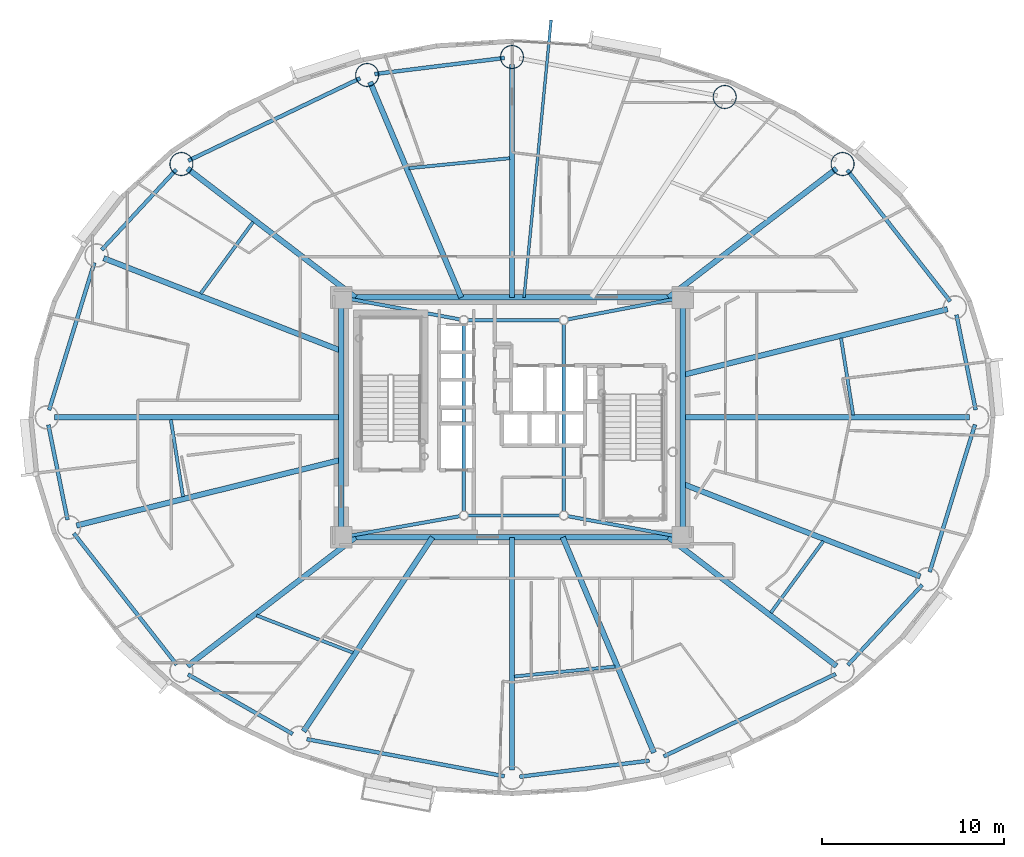
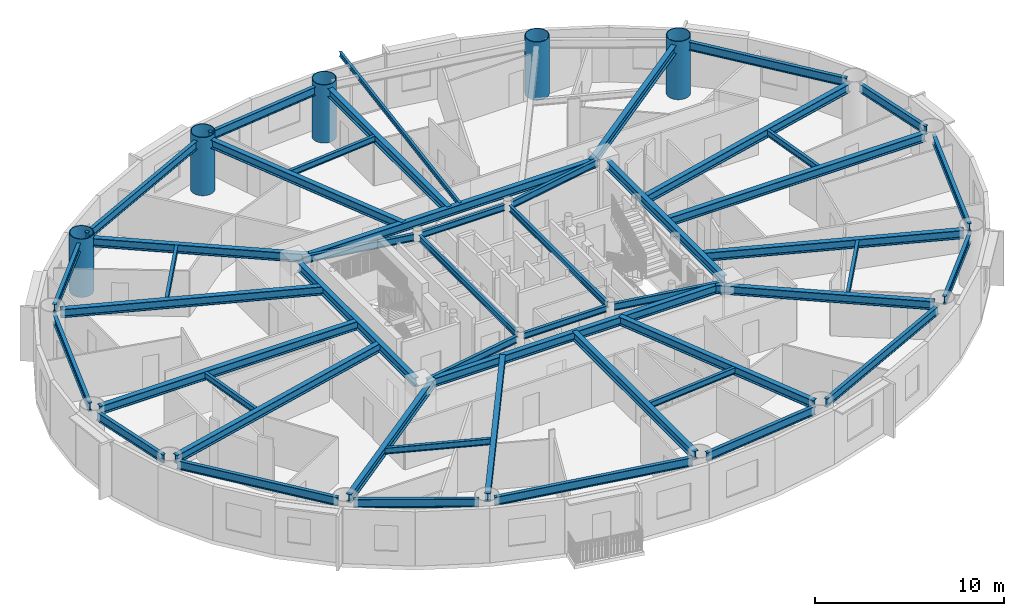
# One storey, part 3 of 17: 49 beams, 5 columns.
"""IFC4 building model written with IfcOpenShell, lengths in metres."""

from ifc_helpers import new_model, si_unit, direction, frame, origin, origin_2d, place, context, subcontext, project, spatial, hollow_circle, i_section, extrude, material, material_profile, profile_set, type_object, element, save


model = new_model("IFC4")

# Units and contexts
model_context = context("Model", 3, precision=1e-05, world=origin(), true_north=direction((0.0, 1.0)))
body_context = subcontext(model_context, "Body", "Model", "MODEL_VIEW")
ifc_project = project(units=[si_unit("LENGTHUNIT", "METRE"), si_unit("AREAUNIT", "SQUARE_METRE"), si_unit("VOLUMEUNIT", "CUBIC_METRE"), si_unit("PLANEANGLEUNIT", "RADIAN"), si_unit("MASSUNIT", "GRAM", prefix="KILO")], contexts=[model_context])

# Site, building, storey
site_placement = place(None, origin())
site = spatial("IfcSite", under=ifc_project, at=site_placement, CompositionType="ELEMENT")
building_placement = place(site_placement, origin())
building = spatial("IfcBuilding", under=site, at=building_placement, Name="Linh Dai School and Residence Tower", CompositionType="ELEMENT")
storey_placement = place(building_placement, frame((0.0, 0.0, 182.39990234375)))
storey = spatial("IfcBuildingStorey", under=building, at=storey_placement, Name="L44", CompositionType="ELEMENT", Elevation=182.39990234375)

# Columns
ifc_material = material(Name="Structural Steel S355JR", Category="steel")
ifc_material_profile_1 = material_profile(ifc_material, hollow_circle(Radius=0.64990234375, WallThickness=0.0400390625, at=origin_2d()), Name="CHS 1300x40")
ifc_profile_set_1 = profile_set([ifc_material_profile_1], Name="Structural Steel S355JR")
column_type = type_object("IfcColumnType", Name="COL-MC4", PredefinedType="COLUMN", material=ifc_profile_set_1)
for number, where, z_axis, x_axis, name in (
    (1, (54.1923828125, 40.941650390625, 0.0), (0.0, 0.0, 1.0), (1.0, 0.0, 0.0), "L44 Perimeter CFT Mega-Column MC03"),
    (2, (47.70556640625, 44.630859375, 0.0), (0.0, 0.0, 1.0), (1.0, 0.0, 0.0), "L44 Perimeter CFT Mega-Column MC04"),
    (3, (36.0, 46.830078125, 0.0), (0.0, 0.0, 1.0), (1.0, 0.0, 0.0), "L44 Perimeter CFT Mega-Column MC05"),
    (4, (28.026611328125, 45.84130859375, 0.0), (0.0, 0.0, 1.0), (1.0, 0.0, 0.0), "L44 Perimeter CFT Mega-Column MC06"),
    (5, (17.8076171875, 40.941650390625, 0.0), (0.0, 0.0, 1.0), (1.0, 0.0, 0.0), "L44 Perimeter CFT Mega-Column MC07"),
):
    element("IfcColumn", number, at=place(storey_placement, frame(where, z_axis=z_axis, x_axis=x_axis)), inside=storey, type_object=column_type, Name=name, PredefinedType="COLUMN", context=body_context, shape_type="SweptSolid", body=[
        extrude(hollow_circle(Radius=0.64990234375, WallThickness=0.0400390625, at=origin_2d()), origin(), (0.0, 0.0, 1.0), 3.75),
    ])

# Beams
ifc_material_profile_2 = material_profile(ifc_material, i_section(OverallWidth=0.14990234375, OverallDepth=0.300048828125, WebThickness=0.007080078125, FlangeThickness=0.0107421875, at=origin_2d()), Name="IPE 300")
ifc_profile_set_2 = profile_set([ifc_material_profile_2], Name="Structural Steel S355JR")
beam_type_1 = type_object("IfcBeamType", Name="BM-BALC-CANT", PredefinedType="BEAM", material=ifc_profile_set_2)
beam_1_placement = place(storey_placement, frame((36.664794921875, 33.60009765625, 3.35009765625), z_axis=(0.096990319244, 0.995285324906, 0.0), x_axis=(-0.995285324906, 0.096990319244, 0.0)))
element("IfcBeam", 6, at=beam_1_placement, inside=storey, type_object=beam_type_1, Name="L45 Balcony Continuous Cantilever Beam 10", PredefinedType="BEAM", context=body_context, shape_type="SweptSolid", body=[
    extrude(i_section(OverallWidth=0.14990234375, OverallDepth=0.300048828125, WebThickness=0.007080078125, FlangeThickness=0.0107421875, at=origin_2d()), origin(), (0.0, 0.0, 1.0), 15.33203125),
])
ifc_material_profile_3 = material_profile(ifc_material, i_section(OverallWidth=0.2099609375, OverallDepth=0.550048828125, WebThickness=0.010986328125, FlangeThickness=0.01708984375, FilletRadius=0.02392578125, at=origin_2d()), Name="IPE 550")
ifc_profile_set_3 = profile_set([ifc_material_profile_3], Name="Structural Steel S355JR")
beam_type_2 = type_object("IfcBeamType", Name="BM-RB55", PredefinedType="BEAM", material=ifc_profile_set_3)
beam_2_placement = place(storey_placement, frame((61.5166015625, 27.41162109375, 3.22509765625), z_axis=(-0.198420723955, 0.980116940117, 0.0), x_axis=(-0.980116940117, -0.198420723955, 0.0)))
element("IfcBeam", 7, at=beam_2_placement, inside=storey, type_object=beam_type_2, Name="L44 Perimeter Elliptical Ring Beam 01", PredefinedType="BEAM", context=body_context, shape_type="SweptSolid", body=[
    extrude(i_section(OverallWidth=0.2099609375, OverallDepth=0.550048828125, WebThickness=0.010986328125, FlangeThickness=0.01708984375, FilletRadius=0.02392578125, at=origin_2d()), origin(), (0.0, 0.0, 1.0), 5.33642578125),
])
beam_3_placement = place(storey_placement, frame((60.115478515625, 33.38427734375, 3.22509765625), z_axis=(-0.616852281883, 0.787078942887, 0.0), x_axis=(-0.787078942887, -0.616852281883, 0.0)))
element("IfcBeam", 8, at=beam_3_placement, inside=storey, type_object=beam_type_2, Name="L44 Perimeter Elliptical Ring Beam 02", PredefinedType="BEAM", context=body_context, shape_type="SweptSolid", body=[
    extrude(i_section(OverallWidth=0.2099609375, OverallDepth=0.550048828125, WebThickness=0.010986328125, FlangeThickness=0.01708984375, FilletRadius=0.02392578125, at=origin_2d()), origin(), (0.0, 0.0, 1.0), 9.181884765625),
])
beam_4_placement = place(storey_placement, frame((35.583251953125, 46.7783203125, 3.22509765625), z_axis=(-0.992400597975, -0.123048986741, 0.0), x_axis=(0.123048986741, -0.992400597975, 0.0)))
element("IfcBeam", 9, at=beam_4_placement, inside=storey, type_object=beam_type_2, Name="L44 Perimeter Elliptical Ring Beam 05", PredefinedType="BEAM", context=body_context, shape_type="SweptSolid", body=[
    extrude(i_section(OverallWidth=0.2099609375, OverallDepth=0.550048828125, WebThickness=0.010986328125, FlangeThickness=0.01708984375, FilletRadius=0.02392578125, at=origin_2d()), origin(), (0.0, 0.0, 1.0), 7.1943359375),
])
beam_5_placement = place(storey_placement, frame((27.64794921875, 45.659912109375, 3.22509765625), z_axis=(-0.901708141823, -0.432345263614, 0.0), x_axis=(0.432345263614, -0.901708141823, 0.0)))
element("IfcBeam", 10, at=beam_5_placement, inside=storey, type_object=beam_type_2, Name="L44 Perimeter Elliptical Ring Beam 06", PredefinedType="BEAM", context=body_context, shape_type="SweptSolid", body=[
    extrude(i_section(OverallWidth=0.2099609375, OverallDepth=0.550048828125, WebThickness=0.010986328125, FlangeThickness=0.01708984375, FilletRadius=0.02392578125, at=origin_2d()), origin(), (0.0, 0.0, 1.0), 10.4931640625),
])
beam_6_placement = place(storey_placement, frame((17.521728515625, 40.6337890625, 3.22509765625), z_axis=(-0.680378035197, -0.732861330145, 0.0), x_axis=(0.732861330145, -0.680378035197, 0.0)))
element("IfcBeam", 11, at=beam_6_placement, inside=storey, type_object=beam_type_2, Name="L44 Perimeter Elliptical Ring Beam 07", PredefinedType="BEAM", context=body_context, shape_type="SweptSolid", body=[
    extrude(i_section(OverallWidth=0.2099609375, OverallDepth=0.550048828125, WebThickness=0.010986328125, FlangeThickness=0.01708984375, FilletRadius=0.02392578125, at=origin_2d()), origin(), (0.0, 0.0, 1.0), 6.024169921875),
])
beam_7_placement = place(storey_placement, frame((13.01416015625, 35.509765625, 3.22509765625), z_axis=(-0.29363681283, -0.955917058196, 0.0), x_axis=(0.955917058196, -0.29363681283, 0.0)))
element("IfcBeam", 12, at=beam_7_placement, inside=storey, type_object=beam_type_2, Name="L44 Perimeter Elliptical Ring Beam 08", PredefinedType="BEAM", context=body_context, shape_type="SweptSolid", body=[
    extrude(i_section(OverallWidth=0.2099609375, OverallDepth=0.550048828125, WebThickness=0.010986328125, FlangeThickness=0.01708984375, FilletRadius=0.02392578125, at=origin_2d()), origin(), (0.0, 0.0, 1.0), 8.482421875),
])
beam_8_placement = place(storey_placement, frame((10.4833984375, 26.58837890625, 3.22509765625), z_axis=(0.198420723955, -0.980116940117, 0.0), x_axis=(0.980116940117, 0.198420723955, 0.0)))
element("IfcBeam", 13, at=beam_8_placement, inside=storey, type_object=beam_type_2, Name="L44 Perimeter Elliptical Ring Beam 09", PredefinedType="BEAM", context=body_context, shape_type="SweptSolid", body=[
    extrude(i_section(OverallWidth=0.2099609375, OverallDepth=0.550048828125, WebThickness=0.010986328125, FlangeThickness=0.01708984375, FilletRadius=0.02392578125, at=origin_2d()), origin(), (0.0, 0.0, 1.0), 5.33642578125),
])
beam_9_placement = place(storey_placement, frame((11.884521484375, 20.61572265625, 3.22509765625), z_axis=(0.616852281883, -0.787078942887, 0.0), x_axis=(0.787078942887, 0.616852281883, 0.0)))
element("IfcBeam", 14, at=beam_9_placement, inside=storey, type_object=beam_type_2, Name="L44 Perimeter Elliptical Ring Beam 10", PredefinedType="BEAM", context=body_context, shape_type="SweptSolid", body=[
    extrude(i_section(OverallWidth=0.2099609375, OverallDepth=0.550048828125, WebThickness=0.010986328125, FlangeThickness=0.01708984375, FilletRadius=0.02392578125, at=origin_2d()), origin(), (0.0, 0.0, 1.0), 9.181884765625),
])
beam_10_placement = place(storey_placement, frame((18.172607421875, 12.8505859375, 3.22509765625), z_axis=(0.869262164011, -0.49435138335, 0.0), x_axis=(0.49435138335, 0.869262164011, 0.0)))
element("IfcBeam", 15, at=beam_10_placement, inside=storey, type_object=beam_type_2, Name="L44 Perimeter Elliptical Ring Beam 11", PredefinedType="BEAM", context=body_context, shape_type="SweptSolid", body=[
    extrude(i_section(OverallWidth=0.2099609375, OverallDepth=0.550048828125, WebThickness=0.010986328125, FlangeThickness=0.01708984375, FilletRadius=0.02392578125, at=origin_2d()), origin(), (0.0, 0.0, 1.0), 6.62255859375),
])
beam_11_placement = place(storey_placement, frame((24.707275390625, 9.29150390625, 3.22509765625), z_axis=(0.98280721278, -0.184634727255, 0.0), x_axis=(0.184634727255, 0.98280721278, 0.0)))
element("IfcBeam", 16, at=beam_11_placement, inside=storey, type_object=beam_type_2, Name="L44 Perimeter Elliptical Ring Beam 12", PredefinedType="BEAM", context=body_context, shape_type="SweptSolid", body=[
    extrude(i_section(OverallWidth=0.2099609375, OverallDepth=0.550048828125, WebThickness=0.010986328125, FlangeThickness=0.01708984375, FilletRadius=0.02392578125, at=origin_2d()), origin(), (0.0, 0.0, 1.0), 11.0703125),
])
beam_12_placement = place(storey_placement, frame((36.416748046875, 7.2216796875, 3.22509765625), z_axis=(0.992400597975, 0.123048986741, 0.0), x_axis=(-0.123048986741, 0.992400597975, 0.0)))
element("IfcBeam", 17, at=beam_12_placement, inside=storey, type_object=beam_type_2, Name="L44 Perimeter Elliptical Ring Beam 13", PredefinedType="BEAM", context=body_context, shape_type="SweptSolid", body=[
    extrude(i_section(OverallWidth=0.2099609375, OverallDepth=0.550048828125, WebThickness=0.010986328125, FlangeThickness=0.01708984375, FilletRadius=0.02392578125, at=origin_2d()), origin(), (0.0, 0.0, 1.0), 7.1943359375),
])
beam_13_placement = place(storey_placement, frame((44.35205078125, 8.340087890625, 3.22509765625), z_axis=(0.901708141823, 0.432345263614, 0.0), x_axis=(-0.432345263614, 0.901708141823, 0.0)))
element("IfcBeam", 18, at=beam_13_placement, inside=storey, type_object=beam_type_2, Name="L44 Perimeter Elliptical Ring Beam 14", PredefinedType="BEAM", context=body_context, shape_type="SweptSolid", body=[
    extrude(i_section(OverallWidth=0.2099609375, OverallDepth=0.550048828125, WebThickness=0.010986328125, FlangeThickness=0.01708984375, FilletRadius=0.02392578125, at=origin_2d()), origin(), (0.0, 0.0, 1.0), 10.4931640625),
])
beam_14_placement = place(storey_placement, frame((54.478271484375, 13.3662109375, 3.22509765625), z_axis=(0.680378035197, 0.732861330145, 0.0), x_axis=(-0.732861330145, 0.680378035197, 0.0)))
element("IfcBeam", 19, at=beam_14_placement, inside=storey, type_object=beam_type_2, Name="L44 Perimeter Elliptical Ring Beam 15", PredefinedType="BEAM", context=body_context, shape_type="SweptSolid", body=[
    extrude(i_section(OverallWidth=0.2099609375, OverallDepth=0.550048828125, WebThickness=0.010986328125, FlangeThickness=0.01708984375, FilletRadius=0.02392578125, at=origin_2d()), origin(), (0.0, 0.0, 1.0), 6.024169921875),
])
beam_15_placement = place(storey_placement, frame((58.98583984375, 18.490234375, 3.22509765625), z_axis=(0.29363681283, 0.955917058196, 0.0), x_axis=(-0.955917058196, 0.29363681283, 0.0)))
element("IfcBeam", 20, at=beam_15_placement, inside=storey, type_object=beam_type_2, Name="L44 Perimeter Elliptical Ring Beam 16", PredefinedType="BEAM", context=body_context, shape_type="SweptSolid", body=[
    extrude(i_section(OverallWidth=0.2099609375, OverallDepth=0.550048828125, WebThickness=0.010986328125, FlangeThickness=0.01708984375, FilletRadius=0.02392578125, at=origin_2d()), origin(), (0.0, 0.0, 1.0), 8.482421875),
])
ifc_material_profile_4 = material_profile(ifc_material, i_section(OverallWidth=0.300048828125, OverallDepth=0.550048828125, WebThickness=0.014892578125, FlangeThickness=0.029052734375, FilletRadius=0.027099609375, at=origin_2d()), Name="HEB 550")
ifc_profile_set_4 = profile_set([ifc_material_profile_4], Name="Structural Steel S355JR")
beam_type_3 = type_object("IfcBeamType", Name="BM-RG55", PredefinedType="BEAM", material=ifc_profile_set_4)
beam_16_placement = place(storey_placement, frame((27.02001953125, 20.39990234375, 3.22509765625), z_axis=(1.0, 0.0, 0.0), x_axis=(0.0, 1.0, 0.0)))
element("IfcBeam", 21, at=beam_16_placement, inside=storey, type_object=beam_type_3, Name="L44 Core Perimeter Coupling Girder 1", PredefinedType="BEAM", context=body_context, shape_type="SweptSolid", body=[
    extrude(i_section(OverallWidth=0.300048828125, OverallDepth=0.550048828125, WebThickness=0.014892578125, FlangeThickness=0.029052734375, FilletRadius=0.027099609375, at=origin_2d()), origin(), (0.0, 0.0, 1.0), 17.9599609375),
])
beam_17_placement = place(storey_placement, frame((45.39990234375, 20.820068359375, 3.22509765625), z_axis=(0.0, 1.0, 0.0), x_axis=(-1.0, 0.0, 0.0)))
element("IfcBeam", 22, at=beam_17_placement, inside=storey, type_object=beam_type_3, Name="L44 Core Perimeter Coupling Girder 2", PredefinedType="BEAM", context=body_context, shape_type="SweptSolid", body=[
    extrude(i_section(OverallWidth=0.300048828125, OverallDepth=0.550048828125, WebThickness=0.014892578125, FlangeThickness=0.029052734375, FilletRadius=0.027099609375, at=origin_2d()), origin(), (0.0, 0.0, 1.0), 12.35986328125),
])
beam_18_placement = place(storey_placement, frame((44.97998046875, 33.60009765625, 3.22509765625), z_axis=(-1.0, 0.0, 0.0), x_axis=(0.0, -1.0, 0.0)))
element("IfcBeam", 23, at=beam_18_placement, inside=storey, type_object=beam_type_3, Name="L44 Core Perimeter Coupling Girder 3", PredefinedType="BEAM", context=body_context, shape_type="SweptSolid", body=[
    extrude(i_section(OverallWidth=0.300048828125, OverallDepth=0.550048828125, WebThickness=0.014892578125, FlangeThickness=0.029052734375, FilletRadius=0.027099609375, at=origin_2d()), origin(), (0.0, 0.0, 1.0), 17.9599609375),
])
beam_19_placement = place(storey_placement, frame((26.60009765625, 33.179931640625, 3.22509765625), z_axis=(0.0, -1.0, 0.0), x_axis=(1.0, 0.0, 0.0)))
element("IfcBeam", 24, at=beam_19_placement, inside=storey, type_object=beam_type_3, Name="L44 Core Perimeter Coupling Girder 4", PredefinedType="BEAM", context=body_context, shape_type="SweptSolid", body=[
    extrude(i_section(OverallWidth=0.300048828125, OverallDepth=0.550048828125, WebThickness=0.014892578125, FlangeThickness=0.029052734375, FilletRadius=0.027099609375, at=origin_2d()), origin(), (0.0, 0.0, 1.0), 12.35986328125),
])
beam_20_placement = place(storey_placement, frame((45.39990234375, 27.0, 3.22509765625), z_axis=(1.0, 0.0, 0.0), x_axis=(0.0, 1.0, 0.0)))
element("IfcBeam", 25, at=beam_20_placement, inside=storey, type_object=beam_type_3, Name="L44 Primary Radial Floor Girder 01", PredefinedType="BEAM", context=body_context, shape_type="SweptSolid", body=[
    extrude(i_section(OverallWidth=0.300048828125, OverallDepth=0.550048828125, WebThickness=0.014892578125, FlangeThickness=0.029052734375, FilletRadius=0.027099609375, at=origin_2d()), origin(), (0.0, 0.0, 1.0), 15.780029296875),
])
beam_21_placement = place(storey_placement, frame((45.39990234375, 29.33447265625, 3.22509765625), z_axis=(0.970514508209, 0.24104271272, 0.0), x_axis=(-0.24104271272, 0.970514508209, 0.0)))
element("IfcBeam", 26, at=beam_21_placement, inside=storey, type_object=beam_type_3, Name="L44 Primary Radial Floor Girder 02", PredefinedType="BEAM", context=body_context, shape_type="SweptSolid", body=[
    extrude(i_section(OverallWidth=0.300048828125, OverallDepth=0.550048828125, WebThickness=0.014892578125, FlangeThickness=0.029052734375, FilletRadius=0.027099609375, at=origin_2d()), origin(), (0.0, 0.0, 1.0), 15.009521484375),
])
beam_22_placement = place(storey_placement, frame((44.6123046875, 33.60009765625, 3.22509765625), z_axis=(0.793732831925, 0.608266546445, 0.0), x_axis=(-0.608266546445, 0.793732831925, 0.0)))
element("IfcBeam", 27, at=beam_22_placement, inside=storey, type_object=beam_type_3, Name="L44 Primary Radial Floor Girder 03", PredefinedType="BEAM", context=body_context, shape_type="SweptSolid", body=[
    extrude(i_section(OverallWidth=0.300048828125, OverallDepth=0.550048828125, WebThickness=0.014892578125, FlangeThickness=0.029052734375, FilletRadius=0.027099609375, at=origin_2d()), origin(), (0.0, 0.0, 1.0), 11.64990234375),
])
beam_23_placement = place(storey_placement, frame((36.0, 33.60009765625, 3.22509765625), z_axis=(0.0, 1.0, 0.0), x_axis=(-1.0, 0.0, 0.0)))
element("IfcBeam", 28, at=beam_23_placement, inside=storey, type_object=beam_type_3, Name="L44 Primary Radial Floor Girder 05", PredefinedType="BEAM", context=body_context, shape_type="SweptSolid", body=[
    extrude(i_section(OverallWidth=0.300048828125, OverallDepth=0.550048828125, WebThickness=0.014892578125, FlangeThickness=0.029052734375, FilletRadius=0.027099609375, at=origin_2d()), origin(), (0.0, 0.0, 1.0), 12.809814453125),
])
beam_24_placement = place(storey_placement, frame((33.20703125, 33.60009765625, 3.22509765625), z_axis=(-0.389721661447, 0.920932693849, 0.0), x_axis=(-0.920932693849, -0.389721661447, 0.0)))
element("IfcBeam", 29, at=beam_24_placement, inside=storey, type_object=beam_type_3, Name="L44 Primary Radial Floor Girder 06", PredefinedType="BEAM", context=body_context, shape_type="SweptSolid", body=[
    extrude(i_section(OverallWidth=0.300048828125, OverallDepth=0.550048828125, WebThickness=0.014892578125, FlangeThickness=0.029052734375, FilletRadius=0.027099609375, at=origin_2d()), origin(), (0.0, 0.0, 1.0), 12.872314453125),
])
beam_25_placement = place(storey_placement, frame((27.3876953125, 33.60009765625, 3.22509765625), z_axis=(-0.793732831925, 0.608266546445, 0.0), x_axis=(-0.608266546445, -0.793732831925, 0.0)))
element("IfcBeam", 30, at=beam_25_placement, inside=storey, type_object=beam_type_3, Name="L44 Primary Radial Floor Girder 07", PredefinedType="BEAM", context=body_context, shape_type="SweptSolid", body=[
    extrude(i_section(OverallWidth=0.300048828125, OverallDepth=0.550048828125, WebThickness=0.014892578125, FlangeThickness=0.029052734375, FilletRadius=0.027099609375, at=origin_2d()), origin(), (0.0, 0.0, 1.0), 11.64990234375),
])
beam_26_placement = place(storey_placement, frame((26.60009765625, 30.663818359375, 3.22509765625), z_axis=(-0.931722873254, 0.363170053081, 0.0), x_axis=(-0.363170053081, -0.931722873254, 0.0)))
element("IfcBeam", 31, at=beam_26_placement, inside=storey, type_object=beam_type_3, Name="L44 Primary Radial Floor Girder 08", PredefinedType="BEAM", context=body_context, shape_type="SweptSolid", body=[
    extrude(i_section(OverallWidth=0.300048828125, OverallDepth=0.550048828125, WebThickness=0.014892578125, FlangeThickness=0.029052734375, FilletRadius=0.027099609375, at=origin_2d()), origin(), (0.0, 0.0, 1.0), 14.029052734375),
])
beam_27_placement = place(storey_placement, frame((26.60009765625, 27.0, 3.22509765625), z_axis=(-1.0, 0.0, 0.0), x_axis=(0.0, -1.0, 0.0)))
element("IfcBeam", 32, at=beam_27_placement, inside=storey, type_object=beam_type_3, Name="L44 Primary Radial Floor Girder 09", PredefinedType="BEAM", context=body_context, shape_type="SweptSolid", body=[
    extrude(i_section(OverallWidth=0.300048828125, OverallDepth=0.550048828125, WebThickness=0.014892578125, FlangeThickness=0.029052734375, FilletRadius=0.027099609375, at=origin_2d()), origin(), (0.0, 0.0, 1.0), 15.780029296875),
])
beam_28_placement = place(storey_placement, frame((26.60009765625, 24.66552734375, 3.22509765625), z_axis=(-0.970514508209, -0.24104271272, 0.0), x_axis=(0.24104271272, -0.970514508209, 0.0)))
element("IfcBeam", 33, at=beam_28_placement, inside=storey, type_object=beam_type_3, Name="L44 Primary Radial Floor Girder 10", PredefinedType="BEAM", context=body_context, shape_type="SweptSolid", body=[
    extrude(i_section(OverallWidth=0.300048828125, OverallDepth=0.550048828125, WebThickness=0.014892578125, FlangeThickness=0.029052734375, FilletRadius=0.027099609375, at=origin_2d()), origin(), (0.0, 0.0, 1.0), 15.009521484375),
])
beam_29_placement = place(storey_placement, frame((27.3876953125, 20.39990234375, 3.22509765625), z_axis=(-0.793732831925, -0.608266546445, 0.0), x_axis=(0.608266546445, -0.793732831925, 0.0)))
element("IfcBeam", 34, at=beam_29_placement, inside=storey, type_object=beam_type_3, Name="L44 Primary Radial Floor Girder 11", PredefinedType="BEAM", context=body_context, shape_type="SweptSolid", body=[
    extrude(i_section(OverallWidth=0.300048828125, OverallDepth=0.550048828125, WebThickness=0.014892578125, FlangeThickness=0.029052734375, FilletRadius=0.027099609375, at=origin_2d()), origin(), (0.0, 0.0, 1.0), 11.64990234375),
])
beam_30_placement = place(storey_placement, frame((31.6181640625, 20.39990234375, 3.22509765625), z_axis=(-0.553117176317, -0.833103468522, 0.0), x_axis=(0.833103468522, -0.553117176317, 0.0)))
element("IfcBeam", 35, at=beam_30_placement, inside=storey, type_object=beam_type_3, Name="L44 Primary Radial Floor Girder 12", PredefinedType="BEAM", context=body_context, shape_type="SweptSolid", body=[
    extrude(i_section(OverallWidth=0.300048828125, OverallDepth=0.550048828125, WebThickness=0.014892578125, FlangeThickness=0.029052734375, FilletRadius=0.027099609375, at=origin_2d()), origin(), (0.0, 0.0, 1.0), 12.820556640625),
])
beam_31_placement = place(storey_placement, frame((36.0, 20.39990234375, 3.22509765625), z_axis=(0.0, -1.0, 0.0), x_axis=(1.0, 0.0, 0.0)))
element("IfcBeam", 36, at=beam_31_placement, inside=storey, type_object=beam_type_3, Name="L44 Primary Radial Floor Girder 13", PredefinedType="BEAM", context=body_context, shape_type="SweptSolid", body=[
    extrude(i_section(OverallWidth=0.300048828125, OverallDepth=0.550048828125, WebThickness=0.014892578125, FlangeThickness=0.029052734375, FilletRadius=0.027099609375, at=origin_2d()), origin(), (0.0, 0.0, 1.0), 12.809814453125),
])
beam_32_placement = place(storey_placement, frame((38.79296875, 20.39990234375, 3.22509765625), z_axis=(0.389721661447, -0.920932693849, 0.0), x_axis=(0.920932693849, 0.389721661447, 0.0)))
element("IfcBeam", 37, at=beam_32_placement, inside=storey, type_object=beam_type_3, Name="L44 Primary Radial Floor Girder 14", PredefinedType="BEAM", context=body_context, shape_type="SweptSolid", body=[
    extrude(i_section(OverallWidth=0.300048828125, OverallDepth=0.550048828125, WebThickness=0.014892578125, FlangeThickness=0.029052734375, FilletRadius=0.027099609375, at=origin_2d()), origin(), (0.0, 0.0, 1.0), 12.872314453125),
])
beam_33_placement = place(storey_placement, frame((44.6123046875, 20.39990234375, 3.22509765625), z_axis=(0.793732831925, -0.608266546445, 0.0), x_axis=(0.608266546445, 0.793732831925, 0.0)))
element("IfcBeam", 38, at=beam_33_placement, inside=storey, type_object=beam_type_3, Name="L44 Primary Radial Floor Girder 15", PredefinedType="BEAM", context=body_context, shape_type="SweptSolid", body=[
    extrude(i_section(OverallWidth=0.300048828125, OverallDepth=0.550048828125, WebThickness=0.014892578125, FlangeThickness=0.029052734375, FilletRadius=0.027099609375, at=origin_2d()), origin(), (0.0, 0.0, 1.0), 11.64990234375),
])
beam_34_placement = place(storey_placement, frame((45.39990234375, 23.336181640625, 3.22509765625), z_axis=(0.931722873254, -0.363170053081, 0.0), x_axis=(0.363170053081, 0.931722873254, 0.0)))
element("IfcBeam", 39, at=beam_34_placement, inside=storey, type_object=beam_type_3, Name="L44 Primary Radial Floor Girder 16", PredefinedType="BEAM", context=body_context, shape_type="SweptSolid", body=[
    extrude(i_section(OverallWidth=0.300048828125, OverallDepth=0.550048828125, WebThickness=0.014892578125, FlangeThickness=0.029052734375, FilletRadius=0.027099609375, at=origin_2d()), origin(), (0.0, 0.0, 1.0), 14.029052734375),
])
ifc_material_profile_5 = material_profile(ifc_material, i_section(OverallWidth=0.179931640625, OverallDepth=0.39990234375, WebThickness=0.008544921875, FlangeThickness=0.013427734375, FilletRadius=0.02099609375, at=origin_2d()), Name="IPE 400")
ifc_profile_set_5 = profile_set([ifc_material_profile_5], Name="Structural Steel S355JR")
beam_type_4 = type_object("IfcBeamType", Name="BM-SB40", PredefinedType="BEAM", material=ifc_profile_set_5)
beam_35_placement = place(storey_placement, frame((33.573974609375, 21.60009765625, 3.300048828125), z_axis=(1.0, 0.0, 0.0), x_axis=(0.0, 1.0, 0.0)))
element("IfcBeam", 40, at=beam_35_placement, inside=storey, type_object=beam_type_4, Name="L44 Core Mast Pier Tie Beam 1", PredefinedType="BEAM", context=body_context, shape_type="SweptSolid", body=[
    extrude(i_section(OverallWidth=0.179931640625, OverallDepth=0.39990234375, WebThickness=0.008544921875, FlangeThickness=0.013427734375, FilletRadius=0.02099609375, at=origin_2d()), origin(), (0.0, 0.0, 1.0), 5.052001953125),
])
beam_36_placement = place(storey_placement, frame((38.85009765625, 21.823974609375, 3.300048828125), z_axis=(0.0, 1.0, 0.0), x_axis=(-1.0, 0.0, 0.0)))
element("IfcBeam", 41, at=beam_36_placement, inside=storey, type_object=beam_type_4, Name="L44 Core Mast Pier Tie Beam 2", PredefinedType="BEAM", context=body_context, shape_type="SweptSolid", body=[
    extrude(i_section(OverallWidth=0.179931640625, OverallDepth=0.39990234375, WebThickness=0.008544921875, FlangeThickness=0.013427734375, FilletRadius=0.02099609375, at=origin_2d()), origin(), (0.0, 0.0, 1.0), 10.302001953125),
])
beam_37_placement = place(storey_placement, frame((38.6259765625, 32.35009765625, 3.300048828125), z_axis=(-1.0, 0.0, 0.0), x_axis=(0.0, -1.0, 0.0)))
element("IfcBeam", 42, at=beam_37_placement, inside=storey, type_object=beam_type_4, Name="L44 Core Mast Pier Tie Beam 3", PredefinedType="BEAM", context=body_context, shape_type="SweptSolid", body=[
    extrude(i_section(OverallWidth=0.179931640625, OverallDepth=0.39990234375, WebThickness=0.008544921875, FlangeThickness=0.013427734375, FilletRadius=0.02099609375, at=origin_2d()), origin(), (0.0, 0.0, 1.0), 5.052001953125),
])
beam_38_placement = place(storey_placement, frame((33.35009765625, 32.1259765625, 3.300048828125), z_axis=(0.0, -1.0, 0.0), x_axis=(1.0, 0.0, 0.0)))
element("IfcBeam", 43, at=beam_38_placement, inside=storey, type_object=beam_type_4, Name="L44 Core Mast Pier Tie Beam 4", PredefinedType="BEAM", context=body_context, shape_type="SweptSolid", body=[
    extrude(i_section(OverallWidth=0.179931640625, OverallDepth=0.39990234375, WebThickness=0.008544921875, FlangeThickness=0.013427734375, FilletRadius=0.02099609375, at=origin_2d()), origin(), (0.0, 0.0, 1.0), 10.302001953125),
])
beam_39_placement = place(storey_placement, frame((54.775634765625, 27.12841796875, 3.300048828125), z_axis=(-0.156304675371, 0.987708888518, 0.0), x_axis=(-0.987708888518, -0.156304675371, 0.0)))
element("IfcBeam", 44, at=beam_39_placement, inside=storey, type_object=beam_type_4, Name="L44 Secondary Circumferential Floor Beam 01", PredefinedType="BEAM", context=body_context, shape_type="SweptSolid", body=[
    extrude(i_section(OverallWidth=0.179931640625, OverallDepth=0.39990234375, WebThickness=0.008544921875, FlangeThickness=0.013427734375, FilletRadius=0.02099609375, at=origin_2d()), origin(), (0.0, 0.0, 1.0), 4.28759765625),
])
beam_40_placement = place(storey_placement, frame((35.87060546875, 41.260498046875, 3.300048828125), z_axis=(-0.995148179174, -0.098387506761, 0.0), x_axis=(0.098387506761, -0.995148179174, 0.0)))
element("IfcBeam", 45, at=beam_40_placement, inside=storey, type_object=beam_type_4, Name="L44 Secondary Circumferential Floor Beam 03", PredefinedType="BEAM", context=body_context, shape_type="SweptSolid", body=[
    extrude(i_section(OverallWidth=0.179931640625, OverallDepth=0.39990234375, WebThickness=0.008544921875, FlangeThickness=0.013427734375, FilletRadius=0.02099609375, at=origin_2d()), origin(), (0.0, 0.0, 1.0), 5.56591796875),
])
beam_41_placement = place(storey_placement, frame((21.75439453125, 37.75341796875, 3.300048828125), z_axis=(-0.590804505267, -0.806814747359, 0.0), x_axis=(0.806814747359, -0.590804505267, 0.0)))
element("IfcBeam", 46, at=beam_41_placement, inside=storey, type_object=beam_type_4, Name="L44 Secondary Circumferential Floor Beam 04", PredefinedType="BEAM", context=body_context, shape_type="SweptSolid", body=[
    extrude(i_section(OverallWidth=0.179931640625, OverallDepth=0.39990234375, WebThickness=0.008544921875, FlangeThickness=0.013427734375, FilletRadius=0.02099609375, at=origin_2d()), origin(), (0.0, 0.0, 1.0), 4.884765625),
])
beam_42_placement = place(storey_placement, frame((17.224365234375, 26.87158203125, 3.300048828125), z_axis=(0.156304675371, -0.987708888518, 0.0), x_axis=(0.987708888518, 0.156304675371, 0.0)))
element("IfcBeam", 47, at=beam_42_placement, inside=storey, type_object=beam_type_4, Name="L44 Secondary Circumferential Floor Beam 05", PredefinedType="BEAM", context=body_context, shape_type="SweptSolid", body=[
    extrude(i_section(OverallWidth=0.179931640625, OverallDepth=0.39990234375, WebThickness=0.008544921875, FlangeThickness=0.013427734375, FilletRadius=0.02099609375, at=origin_2d()), origin(), (0.0, 0.0, 1.0), 4.28759765625),
])
beam_43_placement = place(storey_placement, frame((21.952392578125, 16.094970703125, 3.300048828125), z_axis=(0.932814887644, -0.360355914881, 0.0), x_axis=(0.360355914881, 0.932814887644, 0.0)))
element("IfcBeam", 48, at=beam_43_placement, inside=storey, type_object=beam_type_4, Name="L44 Secondary Circumferential Floor Beam 06", PredefinedType="BEAM", context=body_context, shape_type="SweptSolid", body=[
    extrude(i_section(OverallWidth=0.179931640625, OverallDepth=0.39990234375, WebThickness=0.008544921875, FlangeThickness=0.013427734375, FilletRadius=0.02099609375, at=origin_2d()), origin(), (0.0, 0.0, 1.0), 5.67822265625),
])
beam_44_placement = place(storey_placement, frame((36.12939453125, 12.739501953125, 3.300048828125), z_axis=(0.995148179174, 0.098387506761, 0.0), x_axis=(-0.098387506761, 0.995148179174, 0.0)))
element("IfcBeam", 49, at=beam_44_placement, inside=storey, type_object=beam_type_4, Name="L44 Secondary Circumferential Floor Beam 07", PredefinedType="BEAM", context=body_context, shape_type="SweptSolid", body=[
    extrude(i_section(OverallWidth=0.179931640625, OverallDepth=0.39990234375, WebThickness=0.008544921875, FlangeThickness=0.013427734375, FilletRadius=0.02099609375, at=origin_2d()), origin(), (0.0, 0.0, 1.0), 5.56591796875),
])
beam_45_placement = place(storey_placement, frame((50.24560546875, 16.24658203125, 3.300048828125), z_axis=(0.590804505267, 0.806814747359, 0.0), x_axis=(-0.806814747359, 0.590804505267, 0.0)))
element("IfcBeam", 50, at=beam_45_placement, inside=storey, type_object=beam_type_4, Name="L44 Secondary Circumferential Floor Beam 08", PredefinedType="BEAM", context=body_context, shape_type="SweptSolid", body=[
    extrude(i_section(OverallWidth=0.179931640625, OverallDepth=0.39990234375, WebThickness=0.008544921875, FlangeThickness=0.013427734375, FilletRadius=0.02099609375, at=origin_2d()), origin(), (0.0, 0.0, 1.0), 4.884765625),
])
ifc_material_profile_6 = material_profile(ifc_material, i_section(OverallWidth=0.18994140625, OverallDepth=0.449951171875, WebThickness=0.009521484375, FlangeThickness=0.0146484375, FilletRadius=0.02099609375, at=origin_2d()), Name="IPE 450")
ifc_profile_set_6 = profile_set([ifc_material_profile_6], Name="Structural Steel S355JR")
beam_type_5 = type_object("IfcBeamType", Name="BM-SB45", PredefinedType="BEAM", material=ifc_profile_set_6)
beam_46_placement = place(storey_placement, frame((27.013427734375, 20.4736328125, 3.275146484375), z_axis=(0.984565969371, 0.175013862185, 0.0), x_axis=(-0.175013862185, 0.984565969371, 0.0)))
element("IfcBeam", 51, at=beam_46_placement, inside=storey, type_object=beam_type_5, Name="L44 Core Corner-to-Mast Pier Beam 1", PredefinedType="BEAM", context=body_context, shape_type="SweptSolid", body=[
    extrude(i_section(OverallWidth=0.18994140625, OverallDepth=0.449951171875, WebThickness=0.009521484375, FlangeThickness=0.0146484375, FilletRadius=0.02099609375, at=origin_2d()), origin(), (0.0, 0.0, 1.0), 6.2119140625),
])
beam_47_placement = place(storey_placement, frame((44.98681640625, 20.4755859375, 3.275146484375), z_axis=(-0.983627428732, 0.180213987933, 0.0), x_axis=(-0.180213987933, -0.983627428732, 0.0)))
element("IfcBeam", 52, at=beam_47_placement, inside=storey, type_object=beam_type_5, Name="L44 Core Corner-to-Mast Pier Beam 2", PredefinedType="BEAM", context=body_context, shape_type="SweptSolid", body=[
    extrude(i_section(OverallWidth=0.18994140625, OverallDepth=0.449951171875, WebThickness=0.009521484375, FlangeThickness=0.0146484375, FilletRadius=0.02099609375, at=origin_2d()), origin(), (0.0, 0.0, 1.0), 6.014892578125),
])
beam_48_placement = place(storey_placement, frame((44.987548828125, 33.521240234375, 3.275146484375), z_axis=(-0.982277147686, -0.187434268836, 0.0), x_axis=(0.187434268836, -0.982277147686, 0.0)))
element("IfcBeam", 53, at=beam_48_placement, inside=storey, type_object=beam_type_5, Name="L44 Core Corner-to-Mast Pier Beam 3", PredefinedType="BEAM", context=body_context, shape_type="SweptSolid", body=[
    extrude(i_section(OverallWidth=0.18994140625, OverallDepth=0.449951171875, WebThickness=0.009521484375, FlangeThickness=0.0146484375, FilletRadius=0.02099609375, at=origin_2d()), origin(), (0.0, 0.0, 1.0), 6.024169921875),
])
beam_49_placement = place(storey_placement, frame((27.012939453125, 33.5234375, 3.275146484375), z_axis=(0.983286429055, -0.182065368579, 0.0), x_axis=(0.182065368579, 0.983286429055, 0.0)))
element("IfcBeam", 54, at=beam_49_placement, inside=storey, type_object=beam_type_5, Name="L44 Core Corner-to-Mast Pier Beam 4", PredefinedType="BEAM", context=body_context, shape_type="SweptSolid", body=[
    extrude(i_section(OverallWidth=0.18994140625, OverallDepth=0.449951171875, WebThickness=0.009521484375, FlangeThickness=0.0146484375, FilletRadius=0.02099609375, at=origin_2d()), origin(), (0.0, 0.0, 1.0), 6.220703125),
])

save(model, "model.ifc")
